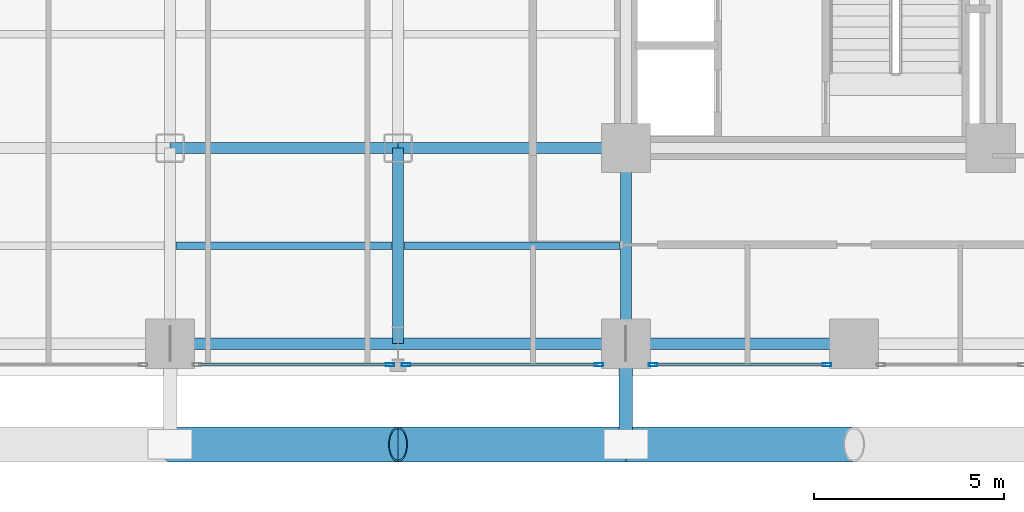
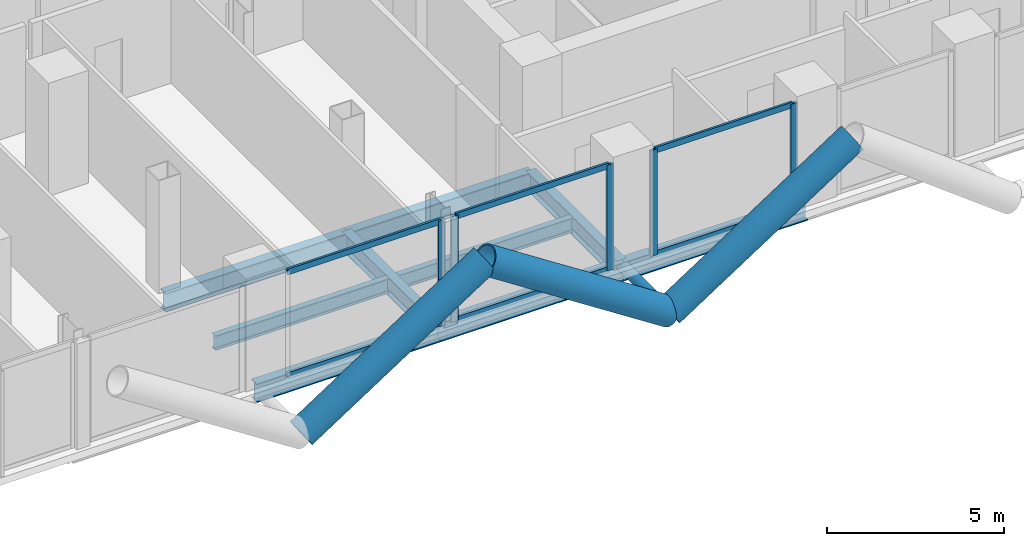
# One storey, part 3 of 27: 15 members, 9 beams, 3 elements without a shape of their own.
"""IFC4 building model written with IfcOpenShell, lengths in metres."""

from ifc_helpers import new_model, si_unit, direction, frame, origin, origin_2d, place, context, subcontext, project, spatial, hollow_rectangle, hollow_circle, i_section, extrude, material, layer, layer_set, material_profile, profile_set, type_object, element, aggregate, save


model = new_model("IFC4")

# Units and contexts
model_context = context("Model", 3, precision=1e-05, world=origin(), true_north=direction((0.0, 1.0)))
body_context = subcontext(model_context, "Body", "Model", "MODEL_VIEW")
ifc_project = project(units=[si_unit("LENGTHUNIT", "METRE"), si_unit("AREAUNIT", "SQUARE_METRE"), si_unit("VOLUMEUNIT", "CUBIC_METRE"), si_unit("PLANEANGLEUNIT", "RADIAN"), si_unit("MASSUNIT", "GRAM", prefix="KILO"), si_unit("THERMODYNAMICTEMPERATUREUNIT", "KELVIN"), si_unit("POWERUNIT", "WATT")], contexts=[model_context])

# Site, building, storey
site_placement = place(None, origin())
site = spatial("IfcSite", under=ifc_project, at=site_placement, CompositionType="ELEMENT")
building_placement = place(site_placement, origin())
building = spatial("IfcBuilding", under=site, at=building_placement, Name="Svarakhadi Broadcast Tower", CompositionType="ELEMENT")
storey_placement = place(building_placement, frame((0.0, 0.0, 44.10009765625)))
storey = spatial("IfcBuildingStorey", under=building, at=storey_placement, Name="L09", CompositionType="ELEMENT", Elevation=44.10009765625)

# Beams
ifc_material_1 = material(Name="Steel S355J2 (IS 2062 E350C)", Category="steel")
ifc_material_profile_1 = material_profile(ifc_material_1, i_section(OverallWidth=0.199951171875, OverallDepth=0.5, WebThickness=0.01025390625, FlangeThickness=0.01611328125, FilletRadius=0.02099609375, at=origin_2d()), Name="NPB 500x200x91")
ifc_profile_set_1 = profile_set([ifc_material_profile_1], Name="Steel S355J2 (IS 2062 E350C)")
beam_type_1 = type_object("IfcBeamType", Name="Beam_NPB500", PredefinedType="BEAM", material=ifc_profile_set_1)
for number, where, z_axis, x_axis, name in (
    (1, (12.159912109375, 3.425048828125, -0.5), (1.0, 0.0, 0.0), (0.0, 1.0, 0.0), "L09 Secondary Composite Beam SB013"),
    (2, (18.159912109375, 3.425048828125, -0.5), (1.0, 0.0, 0.0), (0.0, 1.0, 0.0), "L09 Secondary Composite Beam SB019"),
):
    element("IfcBeam", number, at=place(storey_placement, frame(where, z_axis=z_axis, x_axis=x_axis)), inside=storey, type_object=beam_type_1, Name=name, PredefinedType="BEAM", context=body_context, shape_type="SweptSolid", body=[
        extrude(i_section(OverallWidth=0.199951171875, OverallDepth=0.5, WebThickness=0.01025390625, FlangeThickness=0.01611328125, FilletRadius=0.02099609375, at=origin_2d()), origin(), (0.0, 0.0, 1.0), 5.68017578125),
    ])

# Curtain wall, members
ifc_material_2 = material(Name="Anodised Bronze Aluminium AA 6063-T6", Category="aluminium")
ifc_layer = layer(ifc_material_2, 0.219970703125)
ifc_layer_set = layer_set([ifc_layer], Name="Anodised Bronze Aluminium AA 6063-T6")
curtain_wall_type = type_object("IfcCurtainWallType", Name="CW_Sys_02", PredefinedType="NOTDEFINED", material=ifc_layer_set)
curtain_wall_1_placement = place(storey_placement, origin())
curtain_wall_1 = element("IfcCurtainWall", 3, at=curtain_wall_1_placement, inside=storey, type_object=curtain_wall_type, Name="L09 South Curtain Wall 17 Bay 3", PredefinedType="NOTDEFINED")
ifc_material_profile_2 = material_profile(ifc_material_2, hollow_rectangle(XDim=0.0849609375, YDim=0.219970703125, WallThickness=0.006103515625, at=origin_2d()), Name="ALU MULLION 220x85x6")
ifc_profile_set_2 = profile_set([ifc_material_profile_2], Name="Anodised Bronze Aluminium AA 6063-T6")
member_type_1 = type_object("IfcMemberType", Name="CW_Sys_02_Mul", PredefinedType="MULLION", material=ifc_profile_set_2)
member_1_placement = place(storey_placement, frame((29.28759765625, 0.300048828125, 0.0), z_axis=(0.0, 0.0, 1.0), x_axis=(0.0, -1.0, 0.0)))
member_1 = element("IfcMember", 4, at=member_1_placement, type_object=member_type_1, Name="CW-02 mullion 1", PredefinedType="MULLION", context=body_context, shape_type="SweptSolid", body=[
    extrude(hollow_rectangle(XDim=0.0849609375, YDim=0.219970703125, WallThickness=0.006103515625, at=origin_2d()), origin(), (0.0, 0.0, 1.0), 3.64990234375),
])
member_2_placement = place(storey_placement, frame((24.71240234375, 0.300048828125, 0.0), z_axis=(0.0, 0.0, 1.0), x_axis=(0.0, -1.0, 0.0)))
member_2 = element("IfcMember", 5, at=member_2_placement, type_object=member_type_1, Name="CW-02 mullion 2", PredefinedType="MULLION", context=body_context, shape_type="SweptSolid", body=[
    extrude(hollow_rectangle(XDim=0.0849609375, YDim=0.219970703125, WallThickness=0.006103515625, at=origin_2d()), origin(), (0.0, 0.0, 1.0), 3.64990234375),
])

curtain_wall_2_placement = place(storey_placement, origin())
curtain_wall_2 = element("IfcCurtainWall", 6, at=curtain_wall_2_placement, inside=storey, type_object=curtain_wall_type, Name="L09 South Curtain Wall 17 Bay 4", PredefinedType="NOTDEFINED")
member_3_placement = place(storey_placement, frame((23.28759765625, 0.300048828125, 0.0), z_axis=(0.0, 0.0, 1.0), x_axis=(0.0, -1.0, 0.0)))
member_3 = element("IfcMember", 7, at=member_3_placement, type_object=member_type_1, Name="CW-02 mullion 1", PredefinedType="MULLION", context=body_context, shape_type="SweptSolid", body=[
    extrude(hollow_rectangle(XDim=0.0849609375, YDim=0.219970703125, WallThickness=0.006103515625, at=origin_2d()), origin(), (0.0, 0.0, 1.0), 3.64990234375),
])
member_4_placement = place(storey_placement, frame((18.21240234375, 0.300048828125, 0.0), z_axis=(0.0, 0.0, 1.0), x_axis=(0.0, -1.0, 0.0)))
member_4 = element("IfcMember", 8, at=member_4_placement, type_object=member_type_1, Name="CW-02 mullion 2", PredefinedType="MULLION", context=body_context, shape_type="SweptSolid", body=[
    extrude(hollow_rectangle(XDim=0.0849609375, YDim=0.219970703125, WallThickness=0.006103515625, at=origin_2d()), origin(), (0.0, 0.0, 1.0), 3.64990234375),
])

# Curtain wall, member
curtain_wall_3_placement = place(storey_placement, origin())
curtain_wall_3 = element("IfcCurtainWall", 9, at=curtain_wall_3_placement, inside=storey, type_object=curtain_wall_type, Name="L09 South Curtain Wall 17 Bay 5", PredefinedType="NOTDEFINED")
member_5_placement = place(storey_placement, frame((17.78759765625, 0.300048828125, 0.0), z_axis=(0.0, 0.0, 1.0), x_axis=(0.0, -1.0, 0.0)))
member_5 = element("IfcMember", 10, at=member_5_placement, type_object=member_type_1, Name="CW-02 mullion 1", PredefinedType="MULLION", context=body_context, shape_type="SweptSolid", body=[
    extrude(hollow_rectangle(XDim=0.0849609375, YDim=0.219970703125, WallThickness=0.006103515625, at=origin_2d()), origin(), (0.0, 0.0, 1.0), 3.64990234375),
])

# Member
ifc_material_profile_3 = material_profile(ifc_material_2, hollow_rectangle(XDim=0.074951171875, YDim=0.199951171875, WallThickness=0.0048828125, at=origin_2d()), Name="ALU TRANSOM 200x75x5")
ifc_profile_set_3 = profile_set([ifc_material_profile_3], Name="Anodised Bronze Aluminium AA 6063-T6")
member_type_2 = type_object("IfcMemberType", Name="CW_Sys_02_Trn", PredefinedType="USERDEFINED", material=ifc_profile_set_3)
member_6_placement = place(storey_placement, frame((29.2451171875, 0.300048828125, 0.037353515625), z_axis=(-1.0, 0.0, 0.0), x_axis=(0.0, -1.0, 0.0)))
member_6 = element("IfcMember", 11, at=member_6_placement, type_object=member_type_2, Name="CW-02 transom 1.1", ObjectType="TRANSOM", PredefinedType="USERDEFINED", context=body_context, shape_type="SweptSolid", body=[
    extrude(hollow_rectangle(XDim=0.074951171875, YDim=0.199951171875, WallThickness=0.0048828125, at=origin_2d()), origin(), (0.0, 0.0, 1.0), 4.490234375),
])

member_7_placement = place(storey_placement, frame((29.2451171875, 0.300048828125, 3.6123046875), z_axis=(-1.0, 0.0, 0.0), x_axis=(0.0, -1.0, 0.0)))
member_7 = element("IfcMember", 12, at=member_7_placement, type_object=member_type_2, Name="CW-02 transom 1.2", ObjectType="TRANSOM", PredefinedType="USERDEFINED", context=body_context, shape_type="SweptSolid", body=[
    extrude(hollow_rectangle(XDim=0.074951171875, YDim=0.199951171875, WallThickness=0.0048828125, at=origin_2d()), origin(), (0.0, 0.0, 1.0), 4.490234375),
])

aggregate(curtain_wall_1, [member_1, member_2, member_6, member_7])

member_8_placement = place(storey_placement, frame((23.2451171875, 0.300048828125, 0.037353515625), z_axis=(-1.0, 0.0, 0.0), x_axis=(0.0, -1.0, 0.0)))
member_8 = element("IfcMember", 13, at=member_8_placement, type_object=member_type_2, Name="CW-02 transom 1.1", ObjectType="TRANSOM", PredefinedType="USERDEFINED", context=body_context, shape_type="SweptSolid", body=[
    extrude(hollow_rectangle(XDim=0.074951171875, YDim=0.199951171875, WallThickness=0.0048828125, at=origin_2d()), origin(), (0.0, 0.0, 1.0), 4.990234375),
])

member_9_placement = place(storey_placement, frame((23.2451171875, 0.300048828125, 3.6123046875), z_axis=(-1.0, 0.0, 0.0), x_axis=(0.0, -1.0, 0.0)))
member_9 = element("IfcMember", 14, at=member_9_placement, type_object=member_type_2, Name="CW-02 transom 1.2", ObjectType="TRANSOM", PredefinedType="USERDEFINED", context=body_context, shape_type="SweptSolid", body=[
    extrude(hollow_rectangle(XDim=0.074951171875, YDim=0.199951171875, WallThickness=0.0048828125, at=origin_2d()), origin(), (0.0, 0.0, 1.0), 4.990234375),
])

aggregate(curtain_wall_2, [member_3, member_4, member_8, member_9])

member_10_placement = place(storey_placement, frame((17.7451171875, 0.300048828125, 0.037353515625), z_axis=(-1.0, 0.0, 0.0), x_axis=(0.0, -1.0, 0.0)))
member_10 = element("IfcMember", 15, at=member_10_placement, type_object=member_type_2, Name="CW-02 transom 1.1", ObjectType="TRANSOM", PredefinedType="USERDEFINED", context=body_context, shape_type="SweptSolid", body=[
    extrude(hollow_rectangle(XDim=0.074951171875, YDim=0.199951171875, WallThickness=0.0048828125, at=origin_2d()), origin(), (0.0, 0.0, 1.0), 4.990234375),
])

member_11_placement = place(storey_placement, frame((17.7451171875, 0.300048828125, 3.6123046875), z_axis=(-1.0, 0.0, 0.0), x_axis=(0.0, -1.0, 0.0)))
member_11 = element("IfcMember", 16, at=member_11_placement, type_object=member_type_2, Name="CW-02 transom 1.2", ObjectType="TRANSOM", PredefinedType="USERDEFINED", context=body_context, shape_type="SweptSolid", body=[
    extrude(hollow_rectangle(XDim=0.074951171875, YDim=0.199951171875, WallThickness=0.0048828125, at=origin_2d()), origin(), (0.0, 0.0, 1.0), 4.990234375),
])

aggregate(curtain_wall_3, [member_5, member_10, member_11])

# Members
ifc_material_3 = material(Name="Steel S460ML (IS 2062 E450BR)", Category="steel")
ifc_material_profile_4 = material_profile(ifc_material_3, hollow_circle(Radius=0.45703125, WallThickness=0.044921875, at=origin_2d()), Name="CHS 914x45")
ifc_profile_set_4 = profile_set([ifc_material_profile_4], Name="Steel S460ML (IS 2062 E450BR)")
member_type_3 = type_object("IfcMemberType", Name="Exo_Brace_CHS914", PredefinedType="BRACE", material=ifc_profile_set_4)
for number, where, z_axis, x_axis, name in (
    (17, (12.0, -1.800048828125, -0.427978515625), (0.838434262763, 0.0, 0.545002740383), (0.0, 1.0, 0.0), "L09 Exposed Bronze Exoskeleton Diagonal S02"),
    (18, (24.0, -1.800048828125, -0.427978515625), (-0.838434262763, 0.0, 0.545002740383), (0.0, -1.0, 0.0), "L09 Exposed Bronze Exoskeleton Diagonal S03"),
    (19, (24.0, -1.800048828125, -0.427978515625), (0.838434262763, 0.0, 0.545002740383), (0.0, 1.0, 0.0), "L09 Exposed Bronze Exoskeleton Diagonal S04"),
):
    element("IfcMember", number, at=place(storey_placement, frame(where, z_axis=z_axis, x_axis=x_axis)), inside=storey, type_object=member_type_3, Name=name, PredefinedType="BRACE", context=body_context, shape_type="SweptSolid", body=[
        extrude(hollow_circle(Radius=0.45703125, WallThickness=0.044921875, at=origin_2d()), origin(), (0.0, 0.0, 1.0), 7.15625),
    ])
ifc_material_profile_5 = material_profile(ifc_material_3, hollow_circle(Radius=0.177734375, WallThickness=0.02001953125, at=origin_2d()), Name="CHS 355.6x20")
ifc_profile_set_5 = profile_set([ifc_material_profile_5], Name="Steel S460ML (IS 2062 E450BR)")
member_type_4 = type_object("IfcMemberType", Name="Exo_Radial_Strut_Z1", PredefinedType="STRUT", material=ifc_profile_set_5)
member_12_placement = place(storey_placement, frame((24.0, -1.800048828125, -0.427978515625), z_axis=(0.0, 1.0, 0.0), x_axis=(-1.0, 0.0, 0.0)))
element("IfcMember", 20, at=member_12_placement, inside=storey, type_object=member_type_4, Name="L09 Exoskeleton Radial Tie Strut S02", PredefinedType="STRUT", context=body_context, shape_type="SweptSolid", body=[
    extrude(hollow_circle(Radius=0.177734375, WallThickness=0.02001953125, at=origin_2d()), origin(), (0.0, 0.0, 1.0), 2.650146484375),
])

# Beams
ifc_material_profile_6 = material_profile(ifc_material_1, i_section(OverallWidth=0.300048828125, OverallDepth=0.64990234375, WebThickness=0.01611328125, FlangeThickness=0.031005859375, FilletRadius=0.027099609375, at=origin_2d()), Name="WPB 650x300x225")
ifc_profile_set_6 = profile_set([ifc_material_profile_6], Name="Steel S355J2 (IS 2062 E350C)")
beam_type_2 = type_object("IfcBeamType", Name="Girder_WPB650", PredefinedType="USERDEFINED", material=ifc_profile_set_6)
for number, where, z_axis, x_axis, name in (
    (21, (12.0, 0.85009765625, -0.5751953125), (1.0, 0.0, 0.0), (0.0, 1.0, 0.0), "L09 Primary E-W Girder G005"),
    (22, (18.0, 0.85009765625, -0.5751953125), (1.0, 0.0, 0.0), (0.0, 1.0, 0.0), "L09 Primary E-W Girder G006"),
    (23, (24.0, 0.85009765625, -0.5751953125), (1.0, 0.0, 0.0), (0.0, 1.0, 0.0), "L09 Primary E-W Girder G007"),
    (24, (12.0, 6.0, -0.5751953125), (1.0, 0.0, 0.0), (0.0, 1.0, 0.0), "L09 Primary E-W Girder G013"),
    (25, (18.0, 6.0, -0.5751953125), (1.0, 0.0, 0.0), (0.0, 1.0, 0.0), "L09 Primary E-W Girder G014"),
):
    element("IfcBeam", number, at=place(storey_placement, frame(where, z_axis=z_axis, x_axis=x_axis)), inside=storey, type_object=beam_type_2, Name=name, ObjectType="GIRDER", PredefinedType="USERDEFINED", context=body_context, shape_type="SweptSolid", body=[
        extrude(i_section(OverallWidth=0.300048828125, OverallDepth=0.64990234375, WebThickness=0.01611328125, FlangeThickness=0.031005859375, FilletRadius=0.027099609375, at=origin_2d()), origin(), (0.0, 0.0, 1.0), 6.0),
    ])
for number, where, z_axis, x_axis, name in (
    (26, (18.0, 0.85009765625, -0.5751953125), (0.0, 1.0, 0.0), (-1.0, 0.0, 0.0), "L09 Primary N-S Girder G064"),
    (27, (24.0, 0.85009765625, -0.5751953125), (0.0, 1.0, 0.0), (-1.0, 0.0, 0.0), "L09 Primary N-S Girder G071"),
):
    element("IfcBeam", number, at=place(storey_placement, frame(where, z_axis=z_axis, x_axis=x_axis)), inside=storey, type_object=beam_type_2, Name=name, ObjectType="GIRDER", PredefinedType="USERDEFINED", context=body_context, shape_type="SweptSolid", body=[
        extrude(i_section(OverallWidth=0.300048828125, OverallDepth=0.64990234375, WebThickness=0.01611328125, FlangeThickness=0.031005859375, FilletRadius=0.027099609375, at=origin_2d()), origin(), (0.0, 0.0, 1.0), 5.14990234375),
    ])

save(model, "model.ifc")
